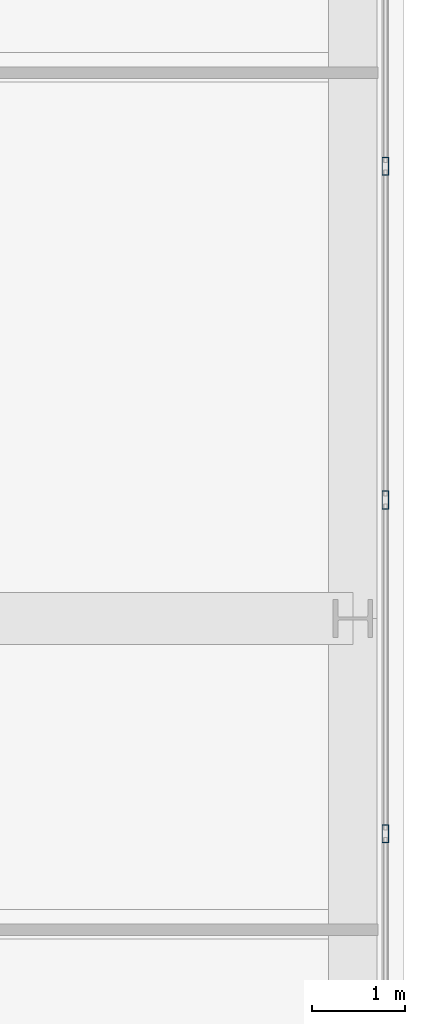
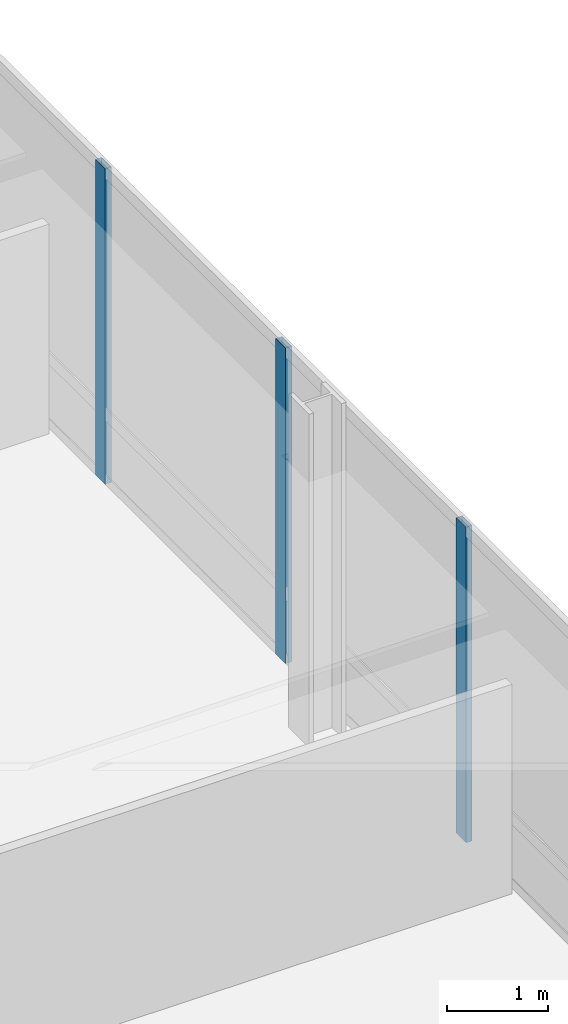
# One storey, part 20 of 36: 3 members, 1 element without a shape of its own.
"""IFC4 building model written with IfcOpenShell, lengths in metres."""

from ifc_helpers import new_model, si_unit, direction, frame, origin, origin_2d, place, context, subcontext, project, spatial, hollow_rectangle, extrude, material, material_profile, profile_set, type_object, element, aggregate, save


model = new_model("IFC4")

# Units and contexts
model_context = context("Model", 3, precision=1e-05, world=origin(), true_north=direction((0.0, 1.0)))
body_context = subcontext(model_context, "Body", "Model", "MODEL_VIEW")
ifc_project = project(units=[si_unit("LENGTHUNIT", "METRE"), si_unit("AREAUNIT", "SQUARE_METRE"), si_unit("VOLUMEUNIT", "CUBIC_METRE"), si_unit("PLANEANGLEUNIT", "RADIAN"), si_unit("MASSUNIT", "GRAM", prefix="KILO")], contexts=[model_context])

# Site, building, storey
site_placement = place(None, origin())
site = spatial("IfcSite", under=ifc_project, at=site_placement, CompositionType="ELEMENT")
building_placement = place(site_placement, origin())
building = spatial("IfcBuilding", under=site, at=building_placement, Name="Punatoya Terracotta Tower", CompositionType="ELEMENT")
storey_placement = place(building_placement, frame((0.0, 0.0, 228.89990234375)))
storey = spatial("IfcBuildingStorey", under=building, at=storey_placement, Name="L54", CompositionType="ELEMENT", Elevation=228.89990234375)

# Curtain wall, members
ifc_material_1 = material(Name="Aluminium 6063-T6 + Double Low-E Glass", Category="aluminium")
curtain_wall_type = type_object("IfcCurtainWallType", Name="CW-M2", PredefinedType="NOTDEFINED", material=ifc_material_1)
curtain_wall_placement = place(storey_placement, origin())
curtain_wall = element("IfcCurtainWall", 1, at=curtain_wall_placement, inside=storey, type_object=curtain_wall_type, Name="L54 Curtain Wall CW-L54-E04-1", PredefinedType="NOTDEFINED")
ifc_material_2 = material(Name="Aluminium 6063-T6", Category="aluminium")
ifc_material_profile = material_profile(ifc_material_2, hollow_rectangle(XDim=0.072021484375, YDim=0.195068359375, WallThickness=0.00439453125, at=origin_2d()))
ifc_profile_set = profile_set([ifc_material_profile], Name="Aluminium 6063-T6")
member_type = type_object("IfcMemberType", Name="CW-MUL-M2", PredefinedType="MULLION", material=ifc_profile_set)
member_1_placement = place(storey_placement, frame((24.85009765625, 1.087158203125, 0.0), z_axis=(0.0, 0.0, 1.0), x_axis=(1.0, 0.0, 0.0)))
member_1 = element("IfcMember", 2, at=member_1_placement, type_object=member_type, Name="CW-L54-E04-1 Mullion 05", PredefinedType="MULLION", context=body_context, shape_type="SweptSolid", body=[
    extrude(hollow_rectangle(XDim=0.072021484375, YDim=0.195068359375, WallThickness=0.00439453125, at=origin_2d()), origin(), (0.0, 0.0, 1.0), 3.830078125),
])
member_2_placement = place(storey_placement, frame((24.85009765625, 4.674560546875, 0.0), z_axis=(0.0, 0.0, 1.0), x_axis=(1.0, 0.0, 0.0)))
member_2 = element("IfcMember", 3, at=member_2_placement, type_object=member_type, Name="CW-L54-E04-1 Mullion 06", PredefinedType="MULLION", context=body_context, shape_type="SweptSolid", body=[
    extrude(hollow_rectangle(XDim=0.072021484375, YDim=0.195068359375, WallThickness=0.00439453125, at=origin_2d()), origin(), (0.0, 0.0, 1.0), 3.830078125),
])
member_3_placement = place(storey_placement, frame((24.85009765625, 8.261962890625, 0.0), z_axis=(0.0, 0.0, 1.0), x_axis=(1.0, 0.0, 0.0)))
member_3 = element("IfcMember", 4, at=member_3_placement, type_object=member_type, Name="CW-L54-E04-1 Mullion 07", PredefinedType="MULLION", context=body_context, shape_type="SweptSolid", body=[
    extrude(hollow_rectangle(XDim=0.072021484375, YDim=0.195068359375, WallThickness=0.00439453125, at=origin_2d()), origin(), (0.0, 0.0, 1.0), 3.830078125),
])
aggregate(curtain_wall, [member_1, member_2, member_3])

save(model, "model.ifc")
